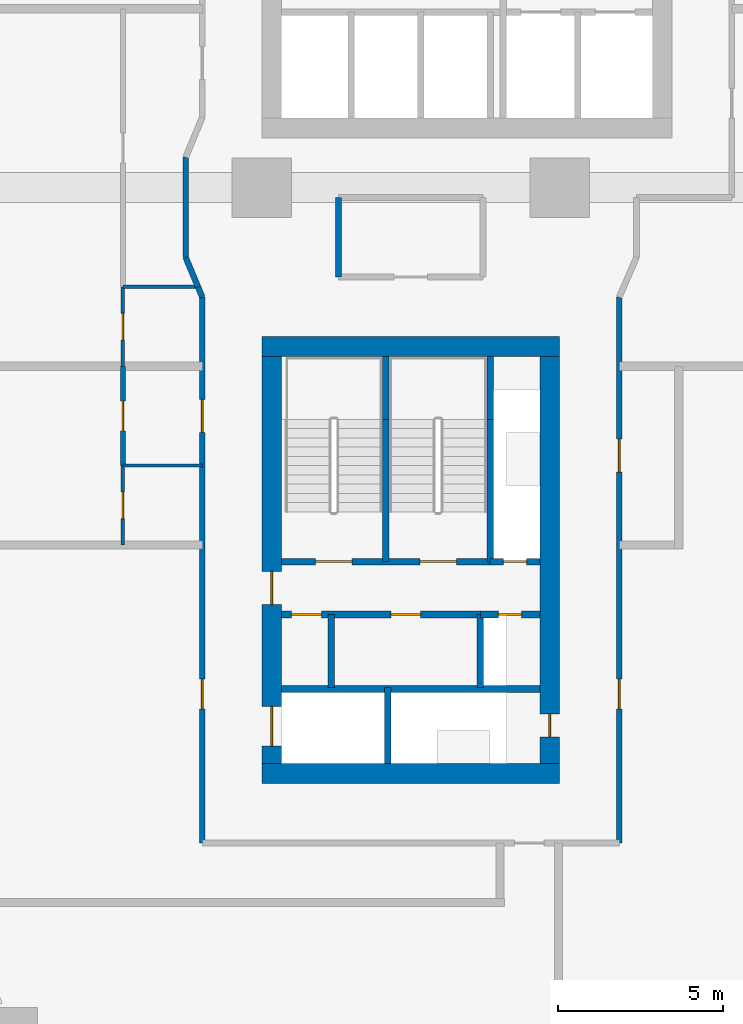
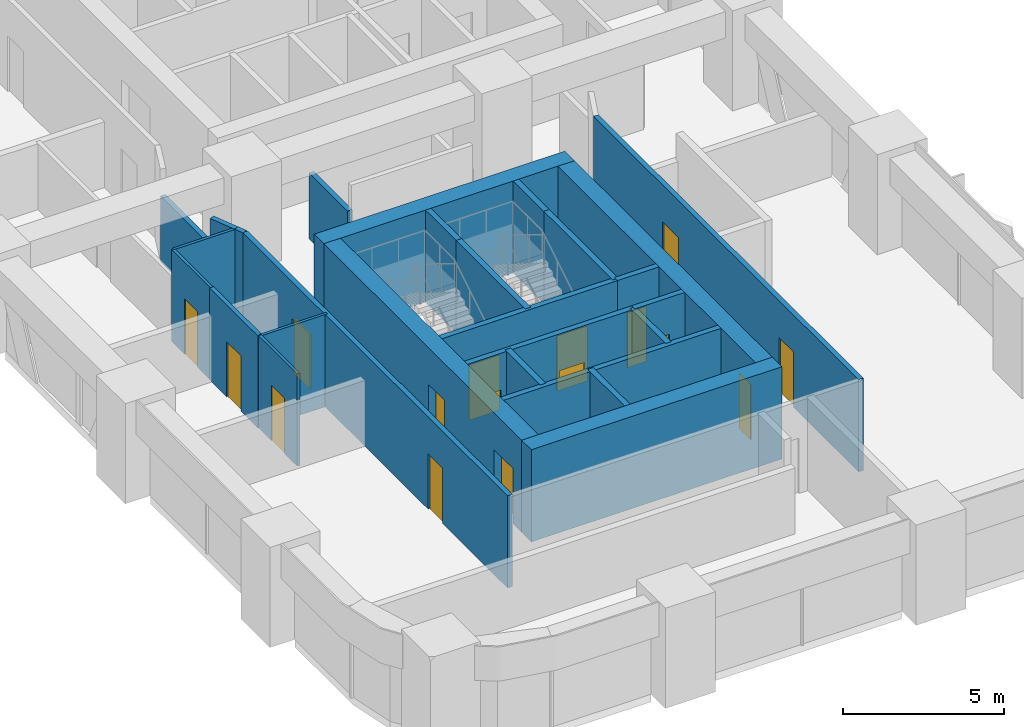
# One storey, part 12 of 18: 27 walls, 16 doors, 16 openings.
"""IFC4 building model written with IfcOpenShell, lengths in metres."""

import ifcopenshell
import ifcopenshell.guid

model = None  # the IFC model being written
_history = None  # IfcOwnerHistory: only IFC2X3 demands one
_inside = {}  # id of a spatial element -> (the spatial element, [elements in it])
_under = {}  # id of a project, library or spatial element -> (it, [spatial elements below it])
_declared = {}  # id of a project -> (the project, [libraries it declares])
_typed = {}  # id of a type object -> (the type object, [elements of that type])
_made_of = {}  # id of a material, layer set ... -> (it, [elements and type objects made of it])


def new_model(schema):
    """Start an empty IFC model of exactly this schema.

    Asked for "IFC4X3", IfcOpenShell would pick the latest addendum, in which some entities
    have other attributes; the version numbers below select the first issue.
    IFC2X3 requires an IfcOwnerHistory on every rooted entity: one is made here for all.
    """
    global model, _history
    if schema == "IFC4X3":
        model = ifcopenshell.file(schema_version=(4, 3, 0, 0))
    else:
        model = ifcopenshell.file(schema=schema)
    _inside.clear()
    _under.clear()
    _declared.clear()
    _typed.clear()
    _made_of.clear()
    _history = None
    if model.schema == "IFC2X3":
        org = make("IfcOrganization", Name="unknown")
        user = make(
            "IfcPersonAndOrganization",
            ThePerson=make("IfcPerson", FamilyName="unknown"),
            TheOrganization=org,
        )
        app = make(
            "IfcApplication",
            ApplicationDeveloper=org,
            Version="unknown",
            ApplicationFullName="unknown",
            ApplicationIdentifier="unknown",
        )
        _history = make(
            "IfcOwnerHistory",
            OwningUser=user,
            OwningApplication=app,
            ChangeAction="ADDED",
            CreationDate=0,
        )
    return model


def make(cls, **values):
    """One entity of the class cls with the attributes given. An attribute that is None is left unset."""
    return model.create_entity(
        cls, **{name: value for name, value in values.items() if value is not None}
    )


def rooted(cls, **values):
    """An entity with a GlobalId (a new one), such as an element, a storey or a relation."""
    return make(cls, GlobalId=ifcopenshell.guid.new(), OwnerHistory=_history, **values)


def si_unit(unit_type, name, prefix=None):
    """IfcSIUnit, for example si_unit("LENGTHUNIT", "METRE", prefix="MILLI")."""
    return make("IfcSIUnit", UnitType=unit_type, Prefix=prefix, Name=name)


def assignment(units):
    """IfcUnitAssignment: the units of a project."""
    return None if units is None else make("IfcUnitAssignment", Units=units)


def point(xyz):
    """IfcCartesianPoint."""
    return None if xyz is None else make("IfcCartesianPoint", Coordinates=xyz)


def direction(xyz):
    """IfcDirection."""
    return None if xyz is None else make("IfcDirection", DirectionRatios=xyz)


def frame(location, z_axis=None, x_axis=None):
    """IfcAxis2Placement3D, a coordinate frame: its origin and axes. An axis left out is left unset."""
    return make(
        "IfcAxis2Placement3D",
        Location=point(location),
        Axis=direction(z_axis),
        RefDirection=direction(x_axis),
    )


def frame_2d(location, x_axis=None):
    """IfcAxis2Placement2D, a coordinate frame in the plane: its origin and x axis."""
    return make(
        "IfcAxis2Placement2D", Location=point(location), RefDirection=direction(x_axis)
    )


def origin():
    """The frame at (0, 0, 0) with its axes left unset."""
    return frame((0.0, 0.0, 0.0))


def place(relative_to, where):
    """IfcLocalPlacement: puts the frame where relative to a parent placement (None: the world)."""
    return make(
        "IfcLocalPlacement", PlacementRelTo=relative_to, RelativePlacement=where
    )


def context(
    kind, dimensions, precision=None, world=None, true_north=None, identifier=None
):
    """IfcGeometricRepresentationContext, for example the 3D "Model" context."""
    return make(
        "IfcGeometricRepresentationContext",
        ContextIdentifier=identifier,
        ContextType=kind,
        CoordinateSpaceDimension=dimensions,
        Precision=precision,
        WorldCoordinateSystem=world,
        TrueNorth=true_north,
    )


def subcontext(parent, identifier, kind, view, scale=None):
    """IfcGeometricRepresentationSubContext, for example "Body" below "Model"."""
    return make(
        "IfcGeometricRepresentationSubContext",
        ContextIdentifier=identifier,
        ContextType=kind,
        ParentContext=parent,
        TargetScale=scale,
        TargetView=view,
    )


def project(units=None, contexts=None):
    """IfcProject with its units and contexts."""
    return rooted(
        "IfcProject",
        Name="project",
        RepresentationContexts=contexts,
        UnitsInContext=assignment(units),
    )


def spatial(cls, under=None, at=None, **own):
    """A site, building, storey or space (cls), placed at a placement, below another one or the project."""
    s = rooted(cls, ObjectPlacement=at, **own)
    if under is not None:
        _under.setdefault(under.id(), (under, []))[1].append(s)
    return s


def profile(cls, at=None, kind="AREA", **sizes):
    """A parametric profile (cls). Its sizes go by their IFC names, for example OverallWidth=200.0."""
    return make(cls, ProfileType=kind, Position=at, **sizes)


def rectangle(**sizes):
    """IfcRectangleProfileDef."""
    return profile("IfcRectangleProfileDef", **sizes)


def extrude(swept, where, along, depth):
    """IfcExtrudedAreaSolid: the profile swept, set in the frame where, extruded along a direction by depth."""
    return make(
        "IfcExtrudedAreaSolid",
        SweptArea=swept,
        Position=where,
        ExtrudedDirection=direction(along),
        Depth=depth,
    )


def shape(context_of_items, identifier, shape_type, items):
    """IfcShapeRepresentation: the items that make up one representation, for example the "Body"."""
    return make(
        "IfcShapeRepresentation",
        ContextOfItems=context_of_items,
        RepresentationIdentifier=identifier,
        RepresentationType=shape_type,
        Items=items,
    )


def material(Name=None, Category=None):
    """IfcMaterial."""
    return make("IfcMaterial", Name=Name, Category=Category)


def layer(
    of_material, thickness, ventilated=None, Name=None, Category=None, Priority=None
):
    """IfcMaterialLayer: one layer of a wall or slab, of a material (None: an air gap)."""
    return make(
        "IfcMaterialLayer",
        Material=of_material,
        LayerThickness=thickness,
        IsVentilated=ventilated,
        Name=Name,
        Category=Category,
        Priority=Priority,
    )


def layer_set(layers, Name=None):
    """IfcMaterialLayerSet."""
    return make("IfcMaterialLayerSet", MaterialLayers=layers, LayerSetName=Name)


def made_of(thing, what):
    """Note that an element or type object is made of a material, layer set ...; save() writes the relation."""
    if what is not None:
        _made_of.setdefault(what.id(), (what, []))[1].append(thing)
    return thing


def type_object(cls, material=None, **own):
    """A type object (cls), such as IfcWallType, which elements share."""
    return made_of(rooted(cls, **own), material)


def element(
    cls,
    number,
    at=None,
    inside=None,
    cuts=None,
    type_object=None,
    material=None,
    context=None,
    identifier="Body",
    shape_type=None,
    held_by="IfcProductDefinitionShape",
    body=None,
    shapes=None,
    **own,
):
    """One element of the class cls, such as IfcWall. Its Tag is "e" and its number.

    at: its placement. inside: the storey or other place that contains it. cuts: it is an
    opening in that element (IfcRelVoidsElement). A single representation is given by context,
    identifier, shape_type and body (its items); several are given by shapes. held_by: the class
    of the entity that holds the representations. save() writes the other relations.
    """
    e = rooted(cls, Tag="e%d" % number, ObjectPlacement=at, **own)
    if body is not None:
        shapes = [shape(context, identifier, shape_type, body)]
    if shapes is not None:
        e.Representation = make(held_by, Representations=shapes)
    if inside is not None:
        _inside.setdefault(inside.id(), (inside, []))[1].append(e)
    if cuts is not None:
        rooted(
            "IfcRelVoidsElement", RelatingBuildingElement=cuts, RelatedOpeningElement=e
        )
    if type_object is not None:
        _typed.setdefault(type_object.id(), (type_object, []))[1].append(e)
    return made_of(e, material)


def fill(opening, filler):
    """IfcRelFillsElement: the door or window that sits in an opening."""
    return rooted(
        "IfcRelFillsElement",
        RelatingOpeningElement=opening,
        RelatedBuildingElement=filler,
    )


def aggregate(whole, parts):
    """IfcRelAggregates: a whole, such as a stair, and the parts it consists of."""
    return rooted("IfcRelAggregates", RelatingObject=whole, RelatedObjects=parts)


def save(model, path):
    """Write the relations noted so far, then the file.

    IfcRelAggregates (storeys below a building ...), IfcRelContainedInSpatialStructure (elements
    in a storey), IfcRelDefinesByType, IfcRelAssociatesMaterial and IfcRelDeclares: one each for
    every whole, place, type object, material and project.
    """
    for whole, parts in _under.values():
        aggregate(whole, parts)
    for where, things in _inside.values():
        rooted(
            "IfcRelContainedInSpatialStructure",
            RelatedElements=things,
            RelatingStructure=where,
        )
    for kind, things in _typed.values():
        rooted("IfcRelDefinesByType", RelatedObjects=things, RelatingType=kind)
    for what, things in _made_of.values():
        rooted("IfcRelAssociatesMaterial", RelatedObjects=things, RelatingMaterial=what)
    for by, libraries in _declared.values():
        rooted("IfcRelDeclares", RelatingContext=by, RelatedDefinitions=libraries)
    model.write(path)


model = new_model("IFC4")

# Units and contexts
model_context = context("Model", 3, precision=1e-05, world=origin(), true_north=direction((0.0, 1.0)))
body_context = subcontext(model_context, "Body", "Model", "MODEL_VIEW")
ifc_project = project(units=[si_unit("LENGTHUNIT", "METRE"), si_unit("AREAUNIT", "SQUARE_METRE"), si_unit("VOLUMEUNIT", "CUBIC_METRE"), si_unit("PLANEANGLEUNIT", "RADIAN"), si_unit("MASSUNIT", "GRAM", prefix="KILO")], contexts=[model_context])

# Site, building, storey
site_placement = place(None, origin())
site = spatial("IfcSite", under=ifc_project, at=site_placement, CompositionType="ELEMENT")
building_placement = place(site_placement, origin())
building = spatial("IfcBuilding", under=site, at=building_placement, Name="Tessera Arch", CompositionType="ELEMENT")
storey_placement = place(building_placement, frame((0.0, 0.0, 89.199951171875)))
storey = spatial("IfcBuildingStorey", under=building, at=storey_placement, Name="L20", CompositionType="ELEMENT", Elevation=89.199951171875)

# Wall
ifc_material_1 = material(Name="Gypsum board on steel stud", Category="steel")
ifc_layer_1 = layer(ifc_material_1, 0.125)
ifc_layer_set_1 = layer_set([ifc_layer_1], Name="Core partition 125 EI 60")
wall_type_1 = type_object("IfcWallType", Name="Core partition 125 EI 60", PredefinedType="PARTITIONING", material=ifc_layer_set_1)
wall_1_placement = place(storey_placement, frame((38.10009765625, 11.89990234375, 0.0), z_axis=(0.0, 0.0, 1.0), x_axis=(0.0, 1.0, 0.0)))
element("IfcWall", 1, at=wall_1_placement, inside=storey, type_object=wall_type_1, Name="L20 C3 partition wall 1", PredefinedType="PARTITIONING", context=body_context, shape_type="SweptSolid", body=[
    extrude(rectangle(XDim=2.2001953125, YDim=0.199951171875, at=frame_2d((1.10009765625, 0.0))), origin(), (0.0, 0.0, 1.0), 3.5),
])

# Wall, openings, doors
wall_2_placement = place(storey_placement, frame((36.60009765625, 14.10009765625, 0.0), z_axis=(0.0, 0.0, 1.0), x_axis=(1.0, 0.0, 0.0)))
wall_2 = element("IfcWall", 2, at=wall_2_placement, inside=storey, type_object=wall_type_1, Name="L20 C3 partition wall 9", PredefinedType="PARTITIONING", context=body_context, shape_type="SweptSolid", body=[
    extrude(rectangle(XDim=6.0, YDim=0.199951171875, at=frame_2d((3.0, 0.0))), origin(), (0.0, 0.0, 1.0), 3.5),
])
opening_1_placement = place(wall_2_placement, frame((0.300048828125, 0.0, 0.0)))
opening_1 = element("IfcOpeningElement", 3, at=opening_1_placement, cuts=wall_2, Name="Opening L20-C38", PredefinedType="OPENING", context=body_context, shape_type="SweptSolid", body=[
    extrude(rectangle(XDim=0.89990234375, YDim=2.10009765625, at=frame_2d((0.449951171875, 1.050048828125))), frame((0.0, 0.10986328125, 0.0), z_axis=(0.0, -1.0, 0.0), x_axis=(1.0, 0.0, 0.0)), (0.0, 0.0, 1.0), 0.219970703125),
])
opening_2_placement = place(wall_2_placement, frame((3.300048828125, 0.0, 0.0)))
opening_2 = element("IfcOpeningElement", 4, at=opening_2_placement, cuts=wall_2, Name="Opening L20-C39", PredefinedType="OPENING", context=body_context, shape_type="SweptSolid", body=[
    extrude(rectangle(XDim=0.89990234375, YDim=2.10009765625, at=frame_2d((0.449951171875, 1.050048828125))), frame((0.0, 0.10986328125, 0.0), z_axis=(0.0, -1.0, 0.0), x_axis=(1.0, 0.0, 0.0)), (0.0, 0.0, 1.0), 0.219970703125),
])
ifc_material_2 = material(Name="Steel door leaf", Category="steel")
door_type_1 = type_object("IfcDoorType", Name="Store door FD30S 900 x 2100", OperationType="SINGLE_SWING_LEFT", PredefinedType="DOOR", material=ifc_material_2)
door_1_placement = place(opening_1_placement, origin())
door_1 = element("IfcDoor", 5, at=door_1_placement, inside=storey, type_object=door_type_1, Name="L20 C3 door 8 C38 type D09", OperationType="SINGLE_SWING_LEFT", OverallHeight=2.10009765625, OverallWidth=0.89990234375, PredefinedType="DOOR", context=body_context, shape_type="SweptSolid", body=[
    extrude(rectangle(XDim=0.89990234375, YDim=2.10009765625, at=frame_2d((0.449951171875, 1.050048828125))), frame((0.0, 0.02490234375, 0.0), z_axis=(0.0, -1.0, 0.0), x_axis=(1.0, 0.0, 0.0)), (0.0, 0.0, 1.0), 0.050048828125),
])
fill(opening_1, door_1)
door_2_placement = place(opening_2_placement, origin())
door_2 = element("IfcDoor", 6, at=door_2_placement, inside=storey, type_object=door_type_1, Name="L20 C3 door 9 C39 type D09", OperationType="SINGLE_SWING_RIGHT", OverallHeight=2.10009765625, OverallWidth=0.89990234375, PredefinedType="DOOR", context=body_context, shape_type="SweptSolid", body=[
    extrude(rectangle(XDim=0.89990234375, YDim=2.10009765625, at=frame_2d((0.449951171875, 1.050048828125))), frame((0.0, 0.02490234375, 0.0), z_axis=(0.0, -1.0, 0.0), x_axis=(1.0, 0.0, 0.0)), (0.0, 0.0, 1.0), 0.050048828125),
])
fill(opening_2, door_2)

# Walls
ifc_material_3 = material(Name="Concrete C70/85", Category="concrete")
ifc_layer_2 = layer(ifc_material_3, 0.60009765625)
ifc_layer_set_2 = layer_set([ifc_layer_2], Name="Core shell wall 600 C70-85")
wall_type_2 = type_object("IfcWallType", Name="Core shell wall 600 C70-85", PredefinedType="SHEAR", material=ifc_layer_set_2)
for number, where, z_axis, x_axis, name in (
    (7, (36.0, 9.300048828125, 0.0), (0.0, 0.0, 1.0), (1.0, 0.0, 0.0), "L20 C3 core wall S"),
    (8, (36.0, 22.199951171875, 0.0), (0.0, 0.0, 1.0), (1.0, 0.0, 0.0), "L20 C3 core wall N"),
):
    element("IfcWall", number, at=place(storey_placement, frame(where, z_axis=z_axis, x_axis=x_axis)), inside=storey, type_object=wall_type_2, Name=name, PredefinedType="SHEAR", context=body_context, shape_type="SweptSolid", body=[
        extrude(rectangle(XDim=9.0, YDim=0.60009765625, at=frame_2d((4.5, 0.0))), origin(), (0.0, 0.0, 1.0), 3.5),
    ])

# Wall, openings, doors
wall_3_placement = place(storey_placement, frame((36.300048828125, 9.60009765625, 0.0), z_axis=(0.0, 0.0, 1.0), x_axis=(0.0, 1.0, 0.0)))
wall_3 = element("IfcWall", 9, at=wall_3_placement, inside=storey, type_object=wall_type_2, Name="L20 C3 core wall W", PredefinedType="SHEAR", context=body_context, shape_type="SweptSolid", body=[
    extrude(rectangle(XDim=12.2998046875, YDim=0.60009765625, at=frame_2d((6.14990234375, 0.0))), origin(), (0.0, 0.0, 1.0), 3.5),
])
opening_3_placement = place(wall_3_placement, frame((0.52490234375, 0.0, 0.0)))
opening_3 = element("IfcOpeningElement", 10, at=opening_3_placement, cuts=wall_3, Name="Opening L20-C31", PredefinedType="OPENING", context=body_context, shape_type="SweptSolid", body=[
    extrude(rectangle(XDim=1.199951171875, YDim=2.10009765625, at=frame_2d((0.60009765625, 1.050048828125))), frame((0.0, 0.31005859375, 0.0), z_axis=(0.0, -1.0, 0.0), x_axis=(1.0, 0.0, 0.0)), (0.0, 0.0, 1.0), 0.6201171875),
])
opening_4_placement = place(wall_3_placement, frame((4.800048828125, 0.0, 0.0)))
opening_4 = element("IfcOpeningElement", 11, at=opening_4_placement, cuts=wall_3, Name="Opening L20-C37", PredefinedType="OPENING", context=body_context, shape_type="SweptSolid", body=[
    extrude(rectangle(XDim=1.0, YDim=2.10009765625, at=frame_2d((0.5, 1.050048828125))), frame((0.0, 0.31005859375, 0.0), z_axis=(0.0, -1.0, 0.0), x_axis=(1.0, 0.0, 0.0)), (0.0, 0.0, 1.0), 0.6201171875),
])
ifc_material_4 = material(Name="Steel door leaf", Category="steel")
door_type_2 = type_object("IfcDoorType", Name="Corridor door FD60 1000 x 2100", OperationType="SINGLE_SWING_LEFT", PredefinedType="DOOR", material=ifc_material_4)
door_3_placement = place(opening_4_placement, origin())
door_3 = element("IfcDoor", 12, at=door_3_placement, inside=storey, type_object=door_type_2, Name="L20 C3 door 7 C37 type D12", OperationType="SINGLE_SWING_LEFT", OverallHeight=2.10009765625, OverallWidth=1.0, PredefinedType="DOOR", context=body_context, shape_type="SweptSolid", body=[
    extrude(rectangle(XDim=1.0, YDim=2.10009765625, at=frame_2d((0.5, 1.050048828125))), frame((0.0, 0.02490234375, 0.0), z_axis=(0.0, -1.0, 0.0), x_axis=(1.0, 0.0, 0.0)), (0.0, 0.0, 1.0), 0.050048828125),
])
fill(opening_4, door_3)
ifc_material_5 = material(Name="Stainless steel AISI 304", Category="steel")
door_type_3 = type_object("IfcDoorType", Name="Sliding landing door 1200 x 2100", OperationType="SLIDING_TO_LEFT", PredefinedType="DOOR", material=ifc_material_5)
door_4_placement = place(opening_3_placement, origin())
door_4 = element("IfcDoor", 13, at=door_4_placement, inside=storey, type_object=door_type_3, Name="L20 SV1 lift landing door C31 type LD", OperationType="SLIDING_TO_LEFT", OverallHeight=2.10009765625, OverallWidth=1.199951171875, PredefinedType="DOOR", context=body_context, shape_type="SweptSolid", body=[
    extrude(rectangle(XDim=1.199951171875, YDim=2.10009765625, at=frame_2d((0.60009765625, 1.050048828125))), frame((0.0, 0.02490234375, 0.0), z_axis=(0.0, -1.0, 0.0), x_axis=(1.0, 0.0, 0.0)), (0.0, 0.0, 1.0), 0.050048828125),
])
fill(opening_3, door_4)

# Wall, opening, door
wall_4_placement = place(storey_placement, frame((44.699951171875, 9.60009765625, 0.0), z_axis=(0.0, 0.0, 1.0), x_axis=(0.0, 1.0, 0.0)))
wall_4 = element("IfcWall", 14, at=wall_4_placement, inside=storey, type_object=wall_type_2, Name="L20 C3 core wall E", PredefinedType="SHEAR", context=body_context, shape_type="SweptSolid", body=[
    extrude(rectangle(XDim=12.2998046875, YDim=0.60009765625, at=frame_2d((6.14990234375, 0.0))), origin(), (0.0, 0.0, 1.0), 3.5),
])
opening_5_placement = place(wall_4_placement, frame((0.800048828125, 0.0, 0.0)))
opening_5 = element("IfcOpeningElement", 15, at=opening_5_placement, cuts=wall_4, Name="Opening L20-C36", PredefinedType="OPENING", context=body_context, shape_type="SweptSolid", body=[
    extrude(rectangle(XDim=0.699951171875, YDim=2.10009765625, at=frame_2d((0.35009765625, 1.050048828125))), frame((0.0, 0.31005859375, 0.0), z_axis=(0.0, -1.0, 0.0), x_axis=(1.0, 0.0, 0.0)), (0.0, 0.0, 1.0), 0.6201171875),
])
ifc_material_6 = material(Name="Steel door leaf", Category="steel")
door_type_4 = type_object("IfcDoorType", Name="Service shaft door FD60 700 x 2100", OperationType="SINGLE_SWING_LEFT", PredefinedType="DOOR", material=ifc_material_6)
door_5_placement = place(opening_5_placement, origin())
door_5 = element("IfcDoor", 16, at=door_5_placement, inside=storey, type_object=door_type_4, Name="L20 C3 door 6 C36 type D07", OperationType="SINGLE_SWING_LEFT", OverallHeight=2.10009765625, OverallWidth=0.699951171875, PredefinedType="DOOR", context=body_context, shape_type="SweptSolid", body=[
    extrude(rectangle(XDim=0.699951171875, YDim=2.10009765625, at=frame_2d((0.35009765625, 1.050048828125))), frame((0.0, 0.02490234375, 0.0), z_axis=(0.0, -1.0, 0.0), x_axis=(1.0, 0.0, 0.0)), (0.0, 0.0, 1.0), 0.050048828125),
])
fill(opening_5, door_5)

# Wall
ifc_material_7 = material(Name="Gypsum board on deep steel stud with mineral wool", Category="steel")
ifc_layer_3 = layer(ifc_material_7, 0.175048828125)
ifc_layer_set_3 = layer_set([ifc_layer_3], Name="Corridor wall 175 EI 60")
wall_type_3 = type_object("IfcWallType", Name="Corridor wall 175 EI 60", PredefinedType="PARTITIONING", material=ifc_layer_set_3)
wall_5_placement = place(storey_placement, frame((33.699951171875, 24.889892578125, 0.0), z_axis=(0.0, 0.0, 1.0), x_axis=(0.0, 1.0, 0.0)))
element("IfcWall", 17, at=wall_5_placement, inside=storey, type_object=wall_type_3, Name="L20 partition 11", PredefinedType="PARTITIONING", context=body_context, shape_type="SweptSolid", body=[
    extrude(rectangle(XDim=3.030029296875, YDim=0.175048828125, at=frame_2d((1.51513671875, 0.0))), origin(), (0.0, 0.0, 1.0), 2.5),
])

# Wall, openings, doors
wall_6_placement = place(storey_placement, frame((34.199951171875, 7.199951171875, 0.0), z_axis=(0.0, 0.0, 1.0), x_axis=(0.0, 1.0, 0.0)))
wall_6 = element("IfcWall", 18, at=wall_6_placement, inside=storey, type_object=wall_type_3, Name="L20 partition 12", PredefinedType="PARTITIONING", context=body_context, shape_type="SweptSolid", body=[
    extrude(rectangle(XDim=16.489990234375, YDim=0.175048828125, at=frame_2d((8.2451171875, 0.0))), origin(), (0.0, 0.0, 1.0), 3.5),
])
opening_6_placement = place(wall_6_placement, frame((4.050048828125, 0.0, 0.0)))
opening_6 = element("IfcOpeningElement", 19, at=opening_6_placement, cuts=wall_6, Name="Opening L20-D002", PredefinedType="OPENING", context=body_context, shape_type="SweptSolid", body=[
    extrude(rectangle(XDim=0.89990234375, YDim=2.10009765625, at=frame_2d((0.449951171875, 1.050048828125))), frame((0.0, 0.097412109375, 0.0), z_axis=(0.0, -1.0, 0.0), x_axis=(1.0, 0.0, 0.0)), (0.0, 0.0, 1.0), 0.195068359375),
])
opening_7_placement = place(wall_6_placement, frame((12.39990234375, 0.0, 0.0)))
opening_7 = element("IfcOpeningElement", 20, at=opening_7_placement, cuts=wall_6, Name="Opening L20-D004", PredefinedType="OPENING", context=body_context, shape_type="SweptSolid", body=[
    extrude(rectangle(XDim=1.0, YDim=2.10009765625, at=frame_2d((0.5, 1.050048828125))), frame((0.0, 0.097412109375, 0.0), z_axis=(0.0, -1.0, 0.0), x_axis=(1.0, 0.0, 0.0)), (0.0, 0.0, 1.0), 0.195068359375),
])
ifc_material_8 = material(Name="Fire-rated door leaf")
door_type_5 = type_object("IfcDoorType", Name="Entrance door FD30S 1000 x 2100", OperationType="SINGLE_SWING_LEFT", PredefinedType="DOOR", material=ifc_material_8)
door_6_placement = place(opening_7_placement, origin())
door_6 = element("IfcDoor", 21, at=door_6_placement, inside=storey, type_object=door_type_5, Name="L20 door D004 type D03", OperationType="SINGLE_SWING_RIGHT", OverallHeight=2.10009765625, OverallWidth=1.0, PredefinedType="DOOR", context=body_context, shape_type="SweptSolid", body=[
    extrude(rectangle(XDim=1.0, YDim=2.10009765625, at=frame_2d((0.5, 1.050048828125))), frame((0.0, 0.02490234375, 0.0), z_axis=(0.0, -1.0, 0.0), x_axis=(1.0, 0.0, 0.0)), (0.0, 0.0, 1.0), 0.050048828125),
])
fill(opening_7, door_6)
ifc_material_9 = material(Name="Timber door leaf", Category="wood")
door_type_6 = type_object("IfcDoorType", Name="Room door 900 x 2100", OperationType="SINGLE_SWING_LEFT", PredefinedType="DOOR", material=ifc_material_9)
door_7_placement = place(opening_6_placement, origin())
door_7 = element("IfcDoor", 22, at=door_7_placement, inside=storey, type_object=door_type_6, Name="L20 door D002 type D01", OperationType="SINGLE_SWING_RIGHT", OverallHeight=2.10009765625, OverallWidth=0.89990234375, PredefinedType="DOOR", context=body_context, shape_type="SweptSolid", body=[
    extrude(rectangle(XDim=0.89990234375, YDim=2.10009765625, at=frame_2d((0.449951171875, 1.050048828125))), frame((0.0, 0.02490234375, 0.0), z_axis=(0.0, -1.0, 0.0), x_axis=(1.0, 0.0, 0.0)), (0.0, 0.0, 1.0), 0.050048828125),
])
fill(opening_6, door_7)

# Wall
wall_7_placement = place(storey_placement, frame((38.320068359375, 24.300048828125, 0.0), z_axis=(0.0, 0.0, 1.0), x_axis=(0.0, 1.0, 0.0)))
element("IfcWall", 23, at=wall_7_placement, inside=storey, type_object=wall_type_3, Name="L20 partition 14", PredefinedType="PARTITIONING", context=body_context, shape_type="SweptSolid", body=[
    extrude(rectangle(XDim=2.39990234375, YDim=0.175048828125, at=frame_2d((1.199951171875, 0.0))), origin(), (0.0, 0.0, 1.0), 2.5),
])

# Wall, openings, doors
wall_8_placement = place(storey_placement, frame((46.800048828125, 7.199951171875, 0.0), z_axis=(0.0, 0.0, 1.0), x_axis=(0.0, 1.0, 0.0)))
wall_8 = element("IfcWall", 24, at=wall_8_placement, inside=storey, type_object=wall_type_3, Name="L20 partition 16", PredefinedType="PARTITIONING", context=body_context, shape_type="SweptSolid", body=[
    extrude(rectangle(XDim=16.489990234375, YDim=0.175048828125, at=frame_2d((8.2451171875, 0.0))), origin(), (0.0, 0.0, 1.0), 3.5),
])
opening_8_placement = place(wall_8_placement, frame((4.050048828125, 0.0, 0.0)))
opening_8 = element("IfcOpeningElement", 25, at=opening_8_placement, cuts=wall_8, Name="Opening L20-D003", PredefinedType="OPENING", context=body_context, shape_type="SweptSolid", body=[
    extrude(rectangle(XDim=0.89990234375, YDim=2.10009765625, at=frame_2d((0.449951171875, 1.050048828125))), frame((0.0, 0.097412109375, 0.0), z_axis=(0.0, -1.0, 0.0), x_axis=(1.0, 0.0, 0.0)), (0.0, 0.0, 1.0), 0.195068359375),
])
opening_9_placement = place(wall_8_placement, frame((11.199951171875, 0.0, 0.0)))
opening_9 = element("IfcOpeningElement", 26, at=opening_9_placement, cuts=wall_8, Name="Opening L20-D007", PredefinedType="OPENING", context=body_context, shape_type="SweptSolid", body=[
    extrude(rectangle(XDim=1.0, YDim=2.10009765625, at=frame_2d((0.5, 1.050048828125))), frame((0.0, 0.097412109375, 0.0), z_axis=(0.0, -1.0, 0.0), x_axis=(1.0, 0.0, 0.0)), (0.0, 0.0, 1.0), 0.195068359375),
])
door_8_placement = place(opening_9_placement, origin())
door_8 = element("IfcDoor", 27, at=door_8_placement, inside=storey, type_object=door_type_5, Name="L20 door D007 type D03", OperationType="SINGLE_SWING_RIGHT", OverallHeight=2.10009765625, OverallWidth=1.0, PredefinedType="DOOR", context=body_context, shape_type="SweptSolid", body=[
    extrude(rectangle(XDim=1.0, YDim=2.10009765625, at=frame_2d((0.5, 1.050048828125))), frame((0.0, 0.02490234375, 0.0), z_axis=(0.0, -1.0, 0.0), x_axis=(1.0, 0.0, 0.0)), (0.0, 0.0, 1.0), 0.050048828125),
])
fill(opening_9, door_8)
door_9_placement = place(opening_8_placement, origin())
door_9 = element("IfcDoor", 28, at=door_9_placement, inside=storey, type_object=door_type_6, Name="L20 door D003 type D01", OperationType="SINGLE_SWING_RIGHT", OverallHeight=2.10009765625, OverallWidth=0.89990234375, PredefinedType="DOOR", context=body_context, shape_type="SweptSolid", body=[
    extrude(rectangle(XDim=0.89990234375, YDim=2.10009765625, at=frame_2d((0.449951171875, 1.050048828125))), frame((0.0, 0.02490234375, 0.0), z_axis=(0.0, -1.0, 0.0), x_axis=(1.0, 0.0, 0.0)), (0.0, 0.0, 1.0), 0.050048828125),
])
fill(opening_8, door_9)

# Walls
wall_9_placement = place(storey_placement, frame((34.071533203125, 23.998291015625, 0.0), z_axis=(0.0, 0.0, 1.0), x_axis=(-0.384687170746, 0.923047008913, 0.0)))
element("IfcWall", 29, at=wall_9_placement, inside=storey, type_object=wall_type_3, Name="L20 partition 49", PredefinedType="PARTITIONING", context=body_context, shape_type="SweptSolid", body=[
    extrude(rectangle(XDim=0.9658203125, YDim=0.175048828125, at=frame_2d((0.48291015625, 0.0))), origin(), (0.0, 0.0, 1.0), 3.5),
])
wall_10_placement = place(storey_placement, frame((34.199951171875, 23.68994140625, 0.0), z_axis=(0.0, 0.0, 1.0), x_axis=(-0.384307602557, 0.92320510539, 0.0)))
element("IfcWall", 30, at=wall_10_placement, inside=storey, type_object=wall_type_3, Name="L20 partition 51", PredefinedType="PARTITIONING", context=body_context, shape_type="SweptSolid", body=[
    extrude(rectangle(XDim=0.337890625, YDim=0.175048828125, at=frame_2d((0.1689453125, 0.0))), origin(), (0.0, 0.0, 1.0), 3.5),
])

# Wall, opening, door
ifc_material_10 = material(Name="Gypsum board on steel stud", Category="steel")
ifc_layer_4 = layer(ifc_material_10, 0.14990234375)
ifc_layer_set_4 = layer_set([ifc_layer_4], Name="Partition 150")
wall_type_4 = type_object("IfcWallType", Name="Partition 150", PredefinedType="PARTITIONING", material=ifc_layer_set_4)
wall_11_placement = place(storey_placement, frame((31.800048828125, 18.60009765625, 0.0), z_axis=(0.0, 0.0, 1.0), x_axis=(0.0, 1.0, 0.0)))
wall_11 = element("IfcWall", 31, at=wall_11_placement, inside=storey, type_object=wall_type_4, Name="L20 partition 19", PredefinedType="PARTITIONING", context=body_context, shape_type="SweptSolid", body=[
    extrude(rectangle(XDim=3.0, YDim=0.14990234375, at=frame_2d((1.5, 0.0))), origin(), (0.0, 0.0, 1.0), 3.5),
])
opening_10_placement = place(wall_11_placement, frame((1.050048828125, 0.0, 0.0)))
opening_10 = element("IfcOpeningElement", 32, at=opening_10_placement, cuts=wall_11, Name="Opening L20-D005", PredefinedType="OPENING", context=body_context, shape_type="SweptSolid", body=[
    extrude(rectangle(XDim=0.89990234375, YDim=2.10009765625, at=frame_2d((0.449951171875, 1.050048828125))), frame((0.0, 0.0849609375, 0.0), z_axis=(0.0, -1.0, 0.0), x_axis=(1.0, 0.0, 0.0)), (0.0, 0.0, 1.0), 0.169921875),
])
door_10_placement = place(opening_10_placement, origin())
door_10 = element("IfcDoor", 33, at=door_10_placement, inside=storey, type_object=door_type_6, Name="L20 door D005 type D01", OperationType="SINGLE_SWING_LEFT", OverallHeight=2.10009765625, OverallWidth=0.89990234375, PredefinedType="DOOR", context=body_context, shape_type="SweptSolid", body=[
    extrude(rectangle(XDim=0.89990234375, YDim=2.10009765625, at=frame_2d((0.449951171875, 1.050048828125))), frame((0.0, 0.02490234375, 0.0), z_axis=(0.0, -1.0, 0.0), x_axis=(1.0, 0.0, 0.0)), (0.0, 0.0, 1.0), 0.050048828125),
])
fill(opening_10, door_10)

# Walls
ifc_material_11 = material(Name="Concrete C40/50", Category="concrete")
ifc_layer_5 = layer(ifc_material_11, 0.199951171875)
ifc_layer_set_5 = layer_set([ifc_layer_5], Name="Shaft wall 200 EI 120")
wall_type_5 = type_object("IfcWallType", Name="Shaft wall 200 EI 120", PredefinedType="SOLIDWALL", material=ifc_layer_set_5)
wall_12_placement = place(storey_placement, frame((39.800048828125, 9.60009765625, 0.0), z_axis=(0.0, 0.0, 1.0), x_axis=(0.0, 1.0, 0.0)))
element("IfcWall", 34, at=wall_12_placement, inside=storey, type_object=wall_type_5, Name="L20 C3 shaft wall 4", PredefinedType="SOLIDWALL", context=body_context, shape_type="SweptSolid", body=[
    extrude(rectangle(XDim=2.2998046875, YDim=0.199951171875, at=frame_2d((1.14990234375, 0.0))), origin(), (0.0, 0.0, 1.0), 3.5),
])
wall_13_placement = place(storey_placement, frame((42.60009765625, 11.89990234375, 0.0), z_axis=(0.0, 0.0, 1.0), x_axis=(0.0, 1.0, 0.0)))
element("IfcWall", 35, at=wall_13_placement, inside=storey, type_object=wall_type_5, Name="L20 C3 shaft wall 5", PredefinedType="SOLIDWALL", context=body_context, shape_type="SweptSolid", body=[
    extrude(rectangle(XDim=2.2001953125, YDim=0.199951171875, at=frame_2d((1.10009765625, 0.0))), origin(), (0.0, 0.0, 1.0), 3.5),
])
wall_14_placement = place(storey_placement, frame((36.60009765625, 11.85009765625, 0.0), z_axis=(0.0, 0.0, 1.0), x_axis=(1.0, 0.0, 0.0)))
element("IfcWall", 36, at=wall_14_placement, inside=storey, type_object=wall_type_5, Name="L20 C3 shaft wall 8", PredefinedType="SOLIDWALL", context=body_context, shape_type="SweptSolid", body=[
    extrude(rectangle(XDim=7.7998046875, YDim=0.199951171875, at=frame_2d((3.89990234375, 0.0))), origin(), (0.0, 0.0, 1.0), 3.5),
])

# Wall, opening, door
wall_15_placement = place(storey_placement, frame((42.60009765625, 14.10009765625, 0.0), z_axis=(0.0, 0.0, 1.0), x_axis=(1.0, 0.0, 0.0)))
wall_15 = element("IfcWall", 37, at=wall_15_placement, inside=storey, type_object=wall_type_5, Name="L20 C3 shaft wall 10", PredefinedType="SOLIDWALL", context=body_context, shape_type="SweptSolid", body=[
    extrude(rectangle(XDim=1.7998046875, YDim=0.199951171875, at=frame_2d((0.89990234375, 0.0))), origin(), (0.0, 0.0, 1.0), 3.5),
])
opening_11_placement = place(wall_15_placement, frame((0.550048828125, 0.0, 0.0)))
opening_11 = element("IfcOpeningElement", 38, at=opening_11_placement, cuts=wall_15, Name="Opening L20-C35", PredefinedType="OPENING", context=body_context, shape_type="SweptSolid", body=[
    extrude(rectangle(XDim=0.699951171875, YDim=2.10009765625, at=frame_2d((0.35009765625, 1.050048828125))), frame((0.0, 0.10986328125, 0.0), z_axis=(0.0, -1.0, 0.0), x_axis=(1.0, 0.0, 0.0)), (0.0, 0.0, 1.0), 0.219970703125),
])
door_11_placement = place(opening_11_placement, origin())
door_11 = element("IfcDoor", 39, at=door_11_placement, inside=storey, type_object=door_type_4, Name="L20 C3 door 5 C35 type D07", OperationType="SINGLE_SWING_RIGHT", OverallHeight=2.10009765625, OverallWidth=0.699951171875, PredefinedType="DOOR", context=body_context, shape_type="SweptSolid", body=[
    extrude(rectangle(XDim=0.699951171875, YDim=2.10009765625, at=frame_2d((0.35009765625, 1.050048828125))), frame((0.0, 0.02490234375, 0.0), z_axis=(0.0, -1.0, 0.0), x_axis=(1.0, 0.0, 0.0)), (0.0, 0.0, 1.0), 0.050048828125),
])
fill(opening_11, door_11)

wall_16_placement = place(storey_placement, frame((42.89990234375, 15.699951171875, 0.0), z_axis=(0.0, 0.0, 1.0), x_axis=(1.0, 0.0, 0.0)))
wall_16 = element("IfcWall", 40, at=wall_16_placement, inside=storey, type_object=wall_type_5, Name="L20 C3 shaft wall 11", PredefinedType="SOLIDWALL", context=body_context, shape_type="SweptSolid", body=[
    extrude(rectangle(XDim=1.5, YDim=0.199951171875, at=frame_2d((0.75, 0.0))), origin(), (0.0, 0.0, 1.0), 3.5),
])
opening_12_placement = place(wall_16_placement, frame((0.39990234375, 0.0, 0.0)))
opening_12 = element("IfcOpeningElement", 41, at=opening_12_placement, cuts=wall_16, Name="Opening L20-C34", PredefinedType="OPENING", context=body_context, shape_type="SweptSolid", body=[
    extrude(rectangle(XDim=0.699951171875, YDim=2.10009765625, at=frame_2d((0.35009765625, 1.050048828125))), frame((0.0, 0.10986328125, 0.0), z_axis=(0.0, -1.0, 0.0), x_axis=(1.0, 0.0, 0.0)), (0.0, 0.0, 1.0), 0.219970703125),
])
door_12_placement = place(opening_12_placement, origin())
door_12 = element("IfcDoor", 42, at=door_12_placement, inside=storey, type_object=door_type_4, Name="L20 C3 door 4 C34 type D07", OperationType="SINGLE_SWING_LEFT", OverallHeight=2.10009765625, OverallWidth=0.699951171875, PredefinedType="DOOR", context=body_context, shape_type="SweptSolid", body=[
    extrude(rectangle(XDim=0.699951171875, YDim=2.10009765625, at=frame_2d((0.35009765625, 1.050048828125))), frame((0.0, 0.02490234375, 0.0), z_axis=(0.0, -1.0, 0.0), x_axis=(1.0, 0.0, 0.0)), (0.0, 0.0, 1.0), 0.050048828125),
])
fill(opening_12, door_12)

# Walls
ifc_material_12 = material(Name="Concrete C40/50", Category="concrete")
ifc_layer_6 = layer(ifc_material_12, 0.199951171875)
ifc_layer_set_6 = layer_set([ifc_layer_6], Name="Stair well wall 200 REI 180")
wall_type_6 = type_object("IfcWallType", Name="Stair well wall 200 REI 180", PredefinedType="SOLIDWALL", material=ifc_layer_set_6)
wall_17_placement = place(storey_placement, frame((39.75, 15.699951171875, 0.0), z_axis=(0.0, 0.0, 1.0), x_axis=(0.0, 1.0, 0.0)))
element("IfcWall", 43, at=wall_17_placement, inside=storey, type_object=wall_type_6, Name="L20 C3 shaft wall 2", PredefinedType="SOLIDWALL", context=body_context, shape_type="SweptSolid", body=[
    extrude(rectangle(XDim=4.300048828125, YDim=0.199951171875, at=frame_2d((2.14990234375, 0.0))), origin(), (0.0, 0.0, 1.0), 3.5),
])
wall_18_placement = place(storey_placement, frame((39.75, 20.0, 0.0), z_axis=(0.0, 0.0, 1.0), x_axis=(0.0, 1.0, 0.0)))
element("IfcWall", 44, at=wall_18_placement, inside=storey, type_object=wall_type_6, Name="L20 C3 shaft wall 3", PredefinedType="SOLIDWALL", context=body_context, shape_type="SweptSolid", body=[
    extrude(rectangle(XDim=1.89990234375, YDim=0.199951171875, at=frame_2d((0.949951171875, 0.0))), origin(), (0.0, 0.0, 1.0), 3.5),
])
wall_19_placement = place(storey_placement, frame((42.89990234375, 15.699951171875, 0.0), z_axis=(0.0, 0.0, 1.0), x_axis=(0.0, 1.0, 0.0)))
element("IfcWall", 45, at=wall_19_placement, inside=storey, type_object=wall_type_6, Name="L20 C3 shaft wall 6", PredefinedType="SOLIDWALL", context=body_context, shape_type="SweptSolid", body=[
    extrude(rectangle(XDim=4.300048828125, YDim=0.199951171875, at=frame_2d((2.14990234375, 0.0))), origin(), (0.0, 0.0, 1.0), 3.5),
])
wall_20_placement = place(storey_placement, frame((42.89990234375, 20.0, 0.0), z_axis=(0.0, 0.0, 1.0), x_axis=(0.0, 1.0, 0.0)))
element("IfcWall", 46, at=wall_20_placement, inside=storey, type_object=wall_type_6, Name="L20 C3 shaft wall 7", PredefinedType="SOLIDWALL", context=body_context, shape_type="SweptSolid", body=[
    extrude(rectangle(XDim=1.89990234375, YDim=0.199951171875, at=frame_2d((0.949951171875, 0.0))), origin(), (0.0, 0.0, 1.0), 3.5),
])

# Wall, openings, doors
wall_21_placement = place(storey_placement, frame((36.60009765625, 15.699951171875, 0.0), z_axis=(0.0, 0.0, 1.0), x_axis=(1.0, 0.0, 0.0)))
wall_21 = element("IfcWall", 47, at=wall_21_placement, inside=storey, type_object=wall_type_6, Name="L20 C3 shaft wall 12", PredefinedType="SOLIDWALL", context=body_context, shape_type="SweptSolid", body=[
    extrude(rectangle(XDim=6.2998046875, YDim=0.199951171875, at=frame_2d((3.14990234375, 0.0))), origin(), (0.0, 0.0, 1.0), 3.5),
])
opening_13_placement = place(wall_21_placement, frame((1.02490234375, 0.0, 0.0)))
opening_13 = element("IfcOpeningElement", 48, at=opening_13_placement, cuts=wall_21, Name="Opening L20-C32", PredefinedType="OPENING", context=body_context, shape_type="SweptSolid", body=[
    extrude(rectangle(XDim=1.10009765625, YDim=2.10009765625, at=frame_2d((0.550048828125, 1.050048828125))), frame((0.0, 0.10986328125, 0.0), z_axis=(0.0, -1.0, 0.0), x_axis=(1.0, 0.0, 0.0)), (0.0, 0.0, 1.0), 0.219970703125),
])
opening_14_placement = place(wall_21_placement, frame((4.175048828125, 0.0, 0.0)))
opening_14 = element("IfcOpeningElement", 49, at=opening_14_placement, cuts=wall_21, Name="Opening L20-C33", PredefinedType="OPENING", context=body_context, shape_type="SweptSolid", body=[
    extrude(rectangle(XDim=1.10009765625, YDim=2.10009765625, at=frame_2d((0.550048828125, 1.050048828125))), frame((0.0, 0.10986328125, 0.0), z_axis=(0.0, -1.0, 0.0), x_axis=(1.0, 0.0, 0.0)), (0.0, 0.0, 1.0), 0.219970703125),
])
ifc_material_13 = material(Name="Steel door leaf", Category="steel")
door_type_7 = type_object("IfcDoorType", Name="Stair door FD60 1100 x 2100", OperationType="SINGLE_SWING_LEFT", PredefinedType="DOOR", material=ifc_material_13)
door_13_placement = place(opening_13_placement, origin())
door_13 = element("IfcDoor", 50, at=door_13_placement, inside=storey, type_object=door_type_7, Name="L20 C3 door 2 C32 type D05", OperationType="SINGLE_SWING_LEFT", OverallHeight=2.10009765625, OverallWidth=1.10009765625, PredefinedType="DOOR", context=body_context, shape_type="SweptSolid", body=[
    extrude(rectangle(XDim=1.10009765625, YDim=2.10009765625, at=frame_2d((0.550048828125, 1.050048828125))), frame((0.0, 0.02490234375, 0.0), z_axis=(0.0, -1.0, 0.0), x_axis=(1.0, 0.0, 0.0)), (0.0, 0.0, 1.0), 0.050048828125),
])
fill(opening_13, door_13)
door_14_placement = place(opening_14_placement, origin())
door_14 = element("IfcDoor", 51, at=door_14_placement, inside=storey, type_object=door_type_7, Name="L20 C3 door 3 C33 type D05", OperationType="SINGLE_SWING_RIGHT", OverallHeight=2.10009765625, OverallWidth=1.10009765625, PredefinedType="DOOR", context=body_context, shape_type="SweptSolid", body=[
    extrude(rectangle(XDim=1.10009765625, YDim=2.10009765625, at=frame_2d((0.550048828125, 1.050048828125))), frame((0.0, 0.02490234375, 0.0), z_axis=(0.0, -1.0, 0.0), x_axis=(1.0, 0.0, 0.0)), (0.0, 0.0, 1.0), 0.050048828125),
])
fill(opening_14, door_14)

# Walls
ifc_material_14 = material(Name="Moisture-resistant board on pre-plumbed steel stud", Category="steel")
ifc_layer_7 = layer(ifc_material_14, 0.10009765625)
ifc_layer_set_7 = layer_set([ifc_layer_7], Name="Wet wall 100")
wall_type_7 = type_object("IfcWallType", Name="Wet wall 100", PredefinedType="PARTITIONING", material=ifc_layer_set_7)
wall_22_placement = place(storey_placement, frame((31.800048828125, 18.60009765625, 0.0), z_axis=(0.0, 0.0, 1.0), x_axis=(1.0, 0.0, 0.0)))
element("IfcWall", 52, at=wall_22_placement, inside=storey, type_object=wall_type_7, Name="L20 partition 44", PredefinedType="PARTITIONING", context=body_context, shape_type="SweptSolid", body=[
    extrude(rectangle(XDim=2.39990234375, YDim=0.10009765625, at=frame_2d((1.199951171875, 0.0))), origin(), (0.0, 0.0, 1.0), 3.5),
])
wall_23_placement = place(storey_placement, frame((31.800048828125, 24.0, 0.0), z_axis=(0.0, 0.0, 1.0), x_axis=(1.0, 0.0, 0.0)))
element("IfcWall", 53, at=wall_23_placement, inside=storey, type_object=wall_type_7, Name="L20 partition 45", PredefinedType="PARTITIONING", context=body_context, shape_type="SweptSolid", body=[
    extrude(rectangle(XDim=2.270751953125, YDim=0.10009765625, at=frame_2d((1.13525390625, 0.0))), origin(), (0.0, 0.0, 1.0), 3.5),
])

# Wall, opening, door
wall_24_placement = place(storey_placement, frame((31.800048828125, 16.199951171875, 0.0), z_axis=(0.0, 0.0, 1.0), x_axis=(0.0, 1.0, 0.0)))
wall_24 = element("IfcWall", 54, at=wall_24_placement, inside=storey, type_object=wall_type_7, Name="L20 partition 46", PredefinedType="PARTITIONING", context=body_context, shape_type="SweptSolid", body=[
    extrude(rectangle(XDim=2.400146484375, YDim=0.10009765625, at=frame_2d((1.2001953125, 0.0))), origin(), (0.0, 0.0, 1.0), 3.5),
])
opening_15_placement = place(wall_24_placement, frame((0.800048828125, 0.0, 0.0)))
opening_15 = element("IfcOpeningElement", 55, at=opening_15_placement, cuts=wall_24, Name="Opening L20-D006", PredefinedType="OPENING", context=body_context, shape_type="SweptSolid", body=[
    extrude(rectangle(XDim=0.800048828125, YDim=2.10009765625, at=frame_2d((0.39990234375, 1.050048828125))), frame((0.0, 0.06005859375, 0.0), z_axis=(0.0, -1.0, 0.0), x_axis=(1.0, 0.0, 0.0)), (0.0, 0.0, 1.0), 0.1201171875),
])
ifc_material_15 = material(Name="Timber door leaf", Category="wood")
door_type_8 = type_object("IfcDoorType", Name="En-suite door 800 x 2100", OperationType="SINGLE_SWING_LEFT", PredefinedType="DOOR", material=ifc_material_15)
door_15_placement = place(opening_15_placement, origin())
door_15 = element("IfcDoor", 56, at=door_15_placement, inside=storey, type_object=door_type_8, Name="L20 door D006 type D02", OperationType="SINGLE_SWING_RIGHT", OverallHeight=2.10009765625, OverallWidth=0.800048828125, PredefinedType="DOOR", context=body_context, shape_type="SweptSolid", body=[
    extrude(rectangle(XDim=0.800048828125, YDim=2.10009765625, at=frame_2d((0.39990234375, 1.050048828125))), frame((0.0, 0.02490234375, 0.0), z_axis=(0.0, -1.0, 0.0), x_axis=(1.0, 0.0, 0.0)), (0.0, 0.0, 1.0), 0.050048828125),
])
fill(opening_15, door_15)

wall_25_placement = place(storey_placement, frame((31.800048828125, 21.60009765625, 0.0), z_axis=(0.0, 0.0, 1.0), x_axis=(0.0, 1.0, 0.0)))
wall_25 = element("IfcWall", 57, at=wall_25_placement, inside=storey, type_object=wall_type_7, Name="L20 partition 47", PredefinedType="PARTITIONING", context=body_context, shape_type="SweptSolid", body=[
    extrude(rectangle(XDim=2.39990234375, YDim=0.10009765625, at=frame_2d((1.199951171875, 0.0))), origin(), (0.0, 0.0, 1.0), 3.5),
])
opening_16_placement = place(wall_25_placement, frame((0.800048828125, 0.0, 0.0)))
opening_16 = element("IfcOpeningElement", 58, at=opening_16_placement, cuts=wall_25, Name="Opening L20-D012", PredefinedType="OPENING", context=body_context, shape_type="SweptSolid", body=[
    extrude(rectangle(XDim=0.800048828125, YDim=2.10009765625, at=frame_2d((0.39990234375, 1.050048828125))), frame((0.0, 0.06005859375, 0.0), z_axis=(0.0, -1.0, 0.0), x_axis=(1.0, 0.0, 0.0)), (0.0, 0.0, 1.0), 0.1201171875),
])
door_16_placement = place(opening_16_placement, origin())
door_16 = element("IfcDoor", 59, at=door_16_placement, inside=storey, type_object=door_type_8, Name="L20 door D012 type D02", OperationType="SINGLE_SWING_RIGHT", OverallHeight=2.10009765625, OverallWidth=0.800048828125, PredefinedType="DOOR", context=body_context, shape_type="SweptSolid", body=[
    extrude(rectangle(XDim=0.800048828125, YDim=2.10009765625, at=frame_2d((0.39990234375, 1.050048828125))), frame((0.0, 0.02490234375, 0.0), z_axis=(0.0, -1.0, 0.0), x_axis=(1.0, 0.0, 0.0)), (0.0, 0.0, 1.0), 0.050048828125),
])
fill(opening_16, door_16)

save(model, "model.ifc")
